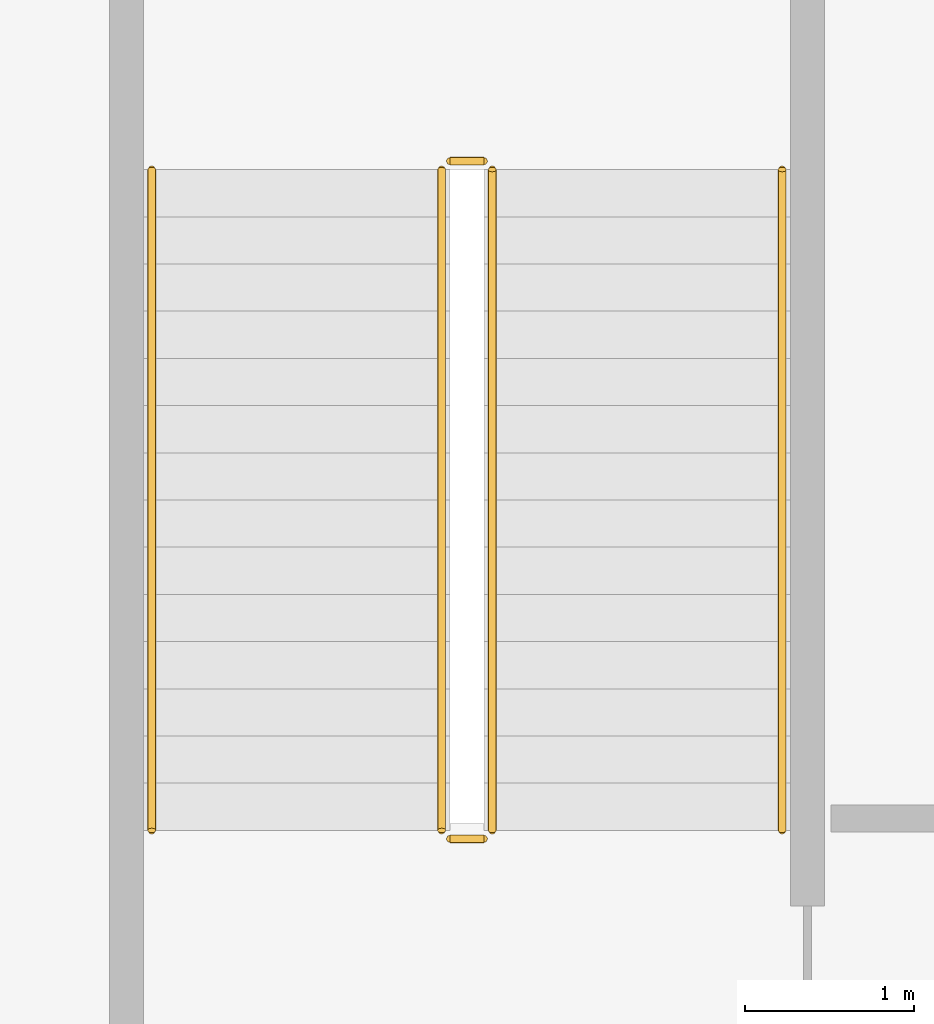
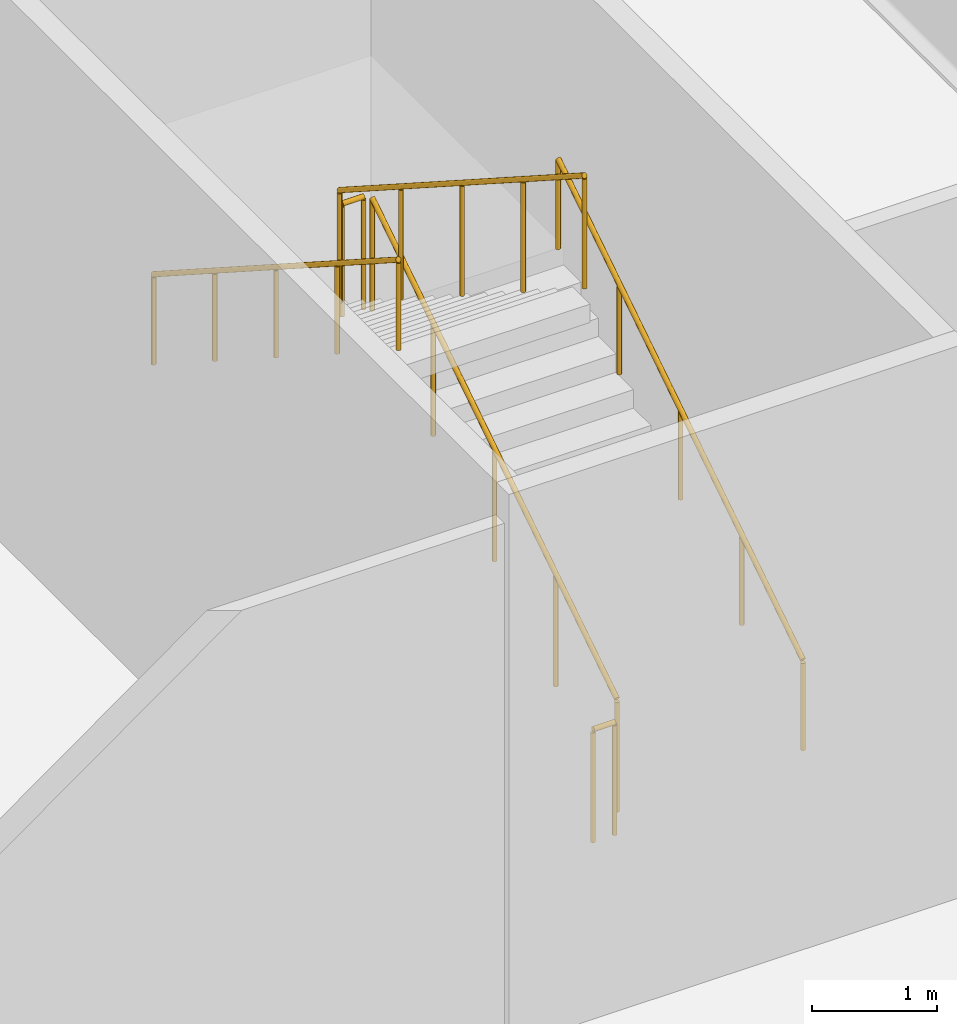
# One storey, part 23 of 24: 6 railings.
"""IFC4 building model written with IfcOpenShell, lengths in metres."""

from ifc_helpers import new_model, si_unit, direction, frame, origin, origin_2d, place, context, subcontext, project, spatial, circle, extrude, material, type_object, element, save


model = new_model("IFC4")

# Units and contexts
model_context = context("Model", 3, precision=1e-05, world=origin(), true_north=direction((0.0, 1.0)))
body_context = subcontext(model_context, "Body", "Model", "MODEL_VIEW")
ifc_project = project(units=[si_unit("LENGTHUNIT", "METRE"), si_unit("AREAUNIT", "SQUARE_METRE"), si_unit("VOLUMEUNIT", "CUBIC_METRE"), si_unit("PLANEANGLEUNIT", "RADIAN"), si_unit("MASSUNIT", "GRAM", prefix="KILO")], contexts=[model_context])

# Site, building, storey
site_placement = place(None, origin())
site = spatial("IfcSite", under=ifc_project, at=site_placement, CompositionType="ELEMENT")
building_placement = place(site_placement, origin())
building = spatial("IfcBuilding", under=site, at=building_placement, Name="Nefas-Gora Pilgrimage Tower", CompositionType="ELEMENT")
storey_placement = place(building_placement, frame((0.0, 0.0, 6.0)))
storey = spatial("IfcBuildingStorey", under=building, at=storey_placement, Name="L01", CompositionType="ELEMENT", Elevation=6.0)

# Railings
ifc_material_1 = material(Name="Painted galvanised steel", Category="steel")
railing_type_1 = type_object("IfcRailingType", Name="RLG-STR-GUARD-1100", PredefinedType="GUARDRAIL", material=ifc_material_1)
railing_1_placement = place(storey_placement, frame((-29.469970703125, 11.800048828125, 0.179931640625)))
element("IfcRailing", 1, at=railing_1_placement, inside=storey, type_object=railing_type_1, Name="L01 ST-04 stair guard 1", PredefinedType="GUARDRAIL", context=body_context, shape_type="SweptSolid", body=[
    extrude(circle(Radius=0.02392578125, at=origin_2d()), frame((0.0, 0.0, 1.09619140625), z_axis=(0.0, 0.841171666519, 0.540768182723), x_axis=(-1.0, 0.0, 0.0)), (0.0, 0.0, 1.0), 4.66015625),
    extrude(circle(Radius=0.02099609375, at=origin_2d()), origin(), (0.0, 0.0, 1.0), 1.072021484375),
    extrude(circle(Radius=0.02099609375, at=origin_2d()), frame((0.0, 0.97998046875, 0.6298828125)), (0.0, 0.0, 1.0), 1.072021484375),
    extrude(circle(Radius=0.02099609375, at=origin_2d()), frame((0.0, 1.9599609375, 1.260009765625)), (0.0, 0.0, 1.0), 1.072021484375),
    extrude(circle(Radius=0.02099609375, at=origin_2d()), frame((0.0, 2.93994140625, 1.89013671875)), (0.0, 0.0, 1.0), 1.072021484375),
    extrude(circle(Radius=0.02099609375, at=origin_2d()), frame((0.0, 3.919921875, 2.52001953125)), (0.0, 0.0, 1.0), 1.072021484375),
])
railing_2_placement = place(storey_placement, frame((-29.52001953125, 15.77001953125, 2.699951171875)))
element("IfcRailing", 2, at=railing_2_placement, inside=storey, type_object=railing_type_1, Name="L01 ST-04 stair guard 2", PredefinedType="GUARDRAIL", context=body_context, shape_type="SweptSolid", body=[
    extrude(circle(Radius=0.02392578125, at=origin_2d()), frame((0.0, 0.0, 1.09619140625), z_axis=(-1.0, 0.0, 0.0), x_axis=(0.0, -1.0, 0.0)), (0.0, 0.0, 1.0), 0.199951171875),
    extrude(circle(Radius=0.02099609375, at=origin_2d()), origin(), (0.0, 0.0, 1.0), 1.072021484375),
    extrude(circle(Radius=0.02099609375, at=origin_2d()), frame((-0.199951171875, 0.0, 0.0)), (0.0, 0.0, 1.0), 1.072021484375),
])
railing_3_placement = place(storey_placement, frame((-29.77001953125, 15.719970703125, 2.8798828125)))
element("IfcRailing", 3, at=railing_3_placement, inside=storey, type_object=railing_type_1, Name="L01 ST-04 stair guard 3", PredefinedType="GUARDRAIL", context=body_context, shape_type="SweptSolid", body=[
    extrude(circle(Radius=0.02392578125, at=origin_2d()), frame((0.0, 0.0, 1.09619140625), z_axis=(0.0, -0.841171666519, 0.540768182723), x_axis=(1.0, 0.0, 0.0)), (0.0, 0.0, 1.0), 4.66015625),
    extrude(circle(Radius=0.02099609375, at=origin_2d()), origin(), (0.0, 0.0, 1.0), 1.072021484375),
    extrude(circle(Radius=0.02099609375, at=origin_2d()), frame((0.0, -0.97998046875, 0.6298828125)), (0.0, 0.0, 1.0), 1.072021484375),
    extrude(circle(Radius=0.02099609375, at=origin_2d()), frame((0.0, -1.9599609375, 1.260009765625)), (0.0, 0.0, 1.0), 1.072021484375),
    extrude(circle(Radius=0.02099609375, at=origin_2d()), frame((0.0, -2.93994140625, 1.89013671875)), (0.0, 0.0, 1.0), 1.072021484375),
    extrude(circle(Radius=0.02099609375, at=origin_2d()), frame((0.0, -3.919921875, 2.52001953125)), (0.0, 0.0, 1.0), 1.072021484375),
])
railing_4_placement = place(storey_placement, frame((-29.52001953125, 11.75, 0.0)))
element("IfcRailing", 4, at=railing_4_placement, inside=storey, type_object=railing_type_1, Name="L01 ST-04 stair guard 4", PredefinedType="GUARDRAIL", context=body_context, shape_type="SweptSolid", body=[
    extrude(circle(Radius=0.02392578125, at=origin_2d()), frame((0.0, 0.0, 1.09619140625), z_axis=(-1.0, 0.0, 0.0), x_axis=(0.0, -1.0, 0.0)), (0.0, 0.0, 1.0), 0.199951171875),
    extrude(circle(Radius=0.02099609375, at=origin_2d()), origin(), (0.0, 0.0, 1.0), 1.072021484375),
    extrude(circle(Radius=0.02099609375, at=origin_2d()), frame((-0.199951171875, 0.0, 0.0)), (0.0, 0.0, 1.0), 1.072021484375),
])
ifc_material_2 = material(Name="Brushed stainless steel", Category="steel")
railing_type_2 = type_object("IfcRailingType", Name="RLG-STR-HAND-900", PredefinedType="HANDRAIL", material=ifc_material_2)
railing_5_placement = place(storey_placement, frame((-27.75, 11.800048828125, 0.179931640625)))
element("IfcRailing", 5, at=railing_5_placement, inside=storey, type_object=railing_type_2, Name="L01 ST-04 stair handrail 1", PredefinedType="HANDRAIL", context=body_context, shape_type="SweptSolid", body=[
    extrude(circle(Radius=0.02392578125, at=origin_2d()), frame((0.0, 0.0, 0.8759765625), z_axis=(0.0, 0.841171666519, 0.540768182723), x_axis=(-1.0, 0.0, 0.0)), (0.0, 0.0, 1.0), 4.66015625),
    extrude(circle(Radius=0.02099609375, at=origin_2d()), origin(), (0.0, 0.0, 1.0), 0.851806640625),
    extrude(circle(Radius=0.02099609375, at=origin_2d()), frame((0.0, 0.97998046875, 0.6298828125)), (0.0, 0.0, 1.0), 0.851806640625),
    extrude(circle(Radius=0.02099609375, at=origin_2d()), frame((0.0, 1.9599609375, 1.260009765625)), (0.0, 0.0, 1.0), 0.851806640625),
    extrude(circle(Radius=0.02099609375, at=origin_2d()), frame((0.0, 2.93994140625, 1.89013671875)), (0.0, 0.0, 1.0), 0.851806640625),
    extrude(circle(Radius=0.02099609375, at=origin_2d()), frame((0.0, 3.919921875, 2.52001953125)), (0.0, 0.0, 1.0), 0.851806640625),
])
railing_6_placement = place(storey_placement, frame((-31.489990234375, 15.719970703125, 2.8798828125)))
element("IfcRailing", 6, at=railing_6_placement, inside=storey, type_object=railing_type_2, Name="L01 ST-04 stair handrail 2", PredefinedType="HANDRAIL", context=body_context, shape_type="SweptSolid", body=[
    extrude(circle(Radius=0.02392578125, at=origin_2d()), frame((0.0, 0.0, 0.8759765625), z_axis=(0.0, -0.841171666519, 0.540768182723), x_axis=(1.0, 0.0, 0.0)), (0.0, 0.0, 1.0), 4.66015625),
    extrude(circle(Radius=0.02099609375, at=origin_2d()), origin(), (0.0, 0.0, 1.0), 0.851806640625),
    extrude(circle(Radius=0.02099609375, at=origin_2d()), frame((0.0, -0.97998046875, 0.6298828125)), (0.0, 0.0, 1.0), 0.851806640625),
    extrude(circle(Radius=0.02099609375, at=origin_2d()), frame((0.0, -1.9599609375, 1.260009765625)), (0.0, 0.0, 1.0), 0.851806640625),
    extrude(circle(Radius=0.02099609375, at=origin_2d()), frame((0.0, -2.93994140625, 1.89013671875)), (0.0, 0.0, 1.0), 0.851806640625),
    extrude(circle(Radius=0.02099609375, at=origin_2d()), frame((0.0, -3.919921875, 2.52001953125)), (0.0, 0.0, 1.0), 0.851806640625),
])

save(model, "model.ifc")
